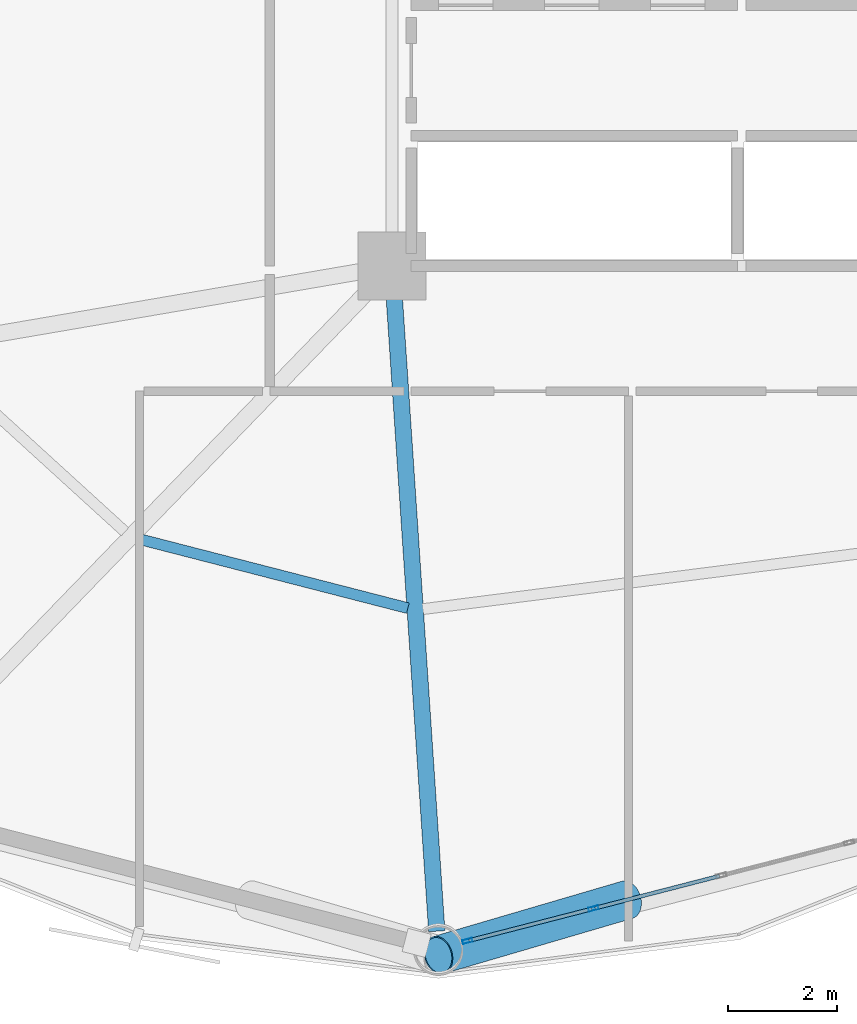
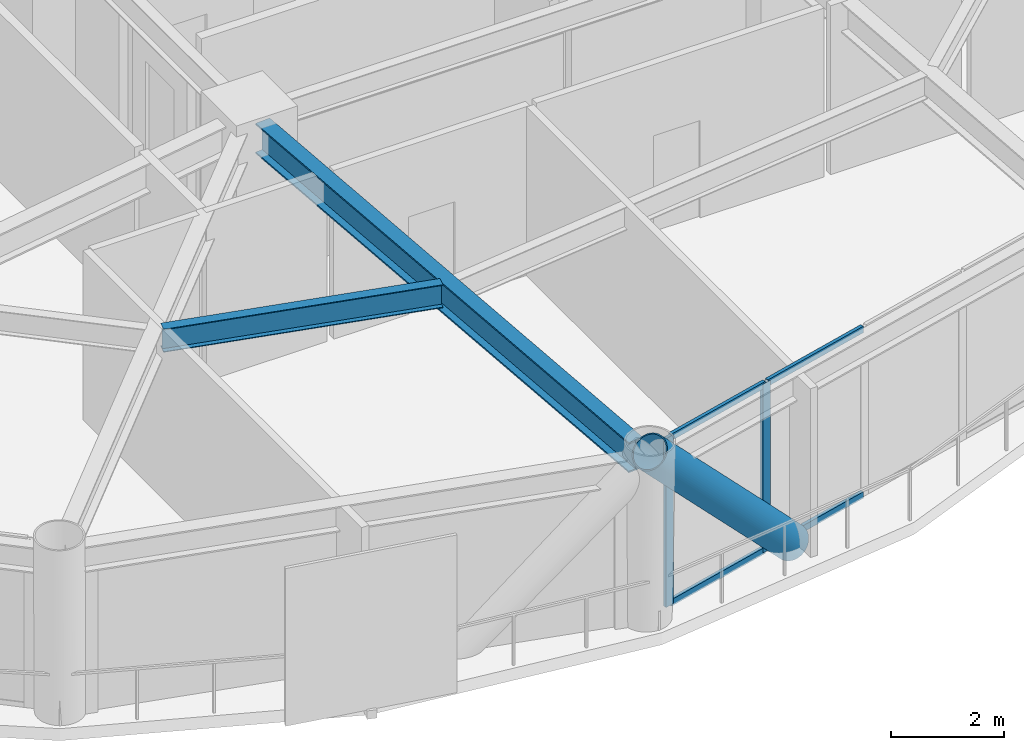
# One storey, part 7 of 26: 7 members, 2 beams, 1 element without a shape of its own.
"""IFC4 building model written with IfcOpenShell, lengths in metres."""

from ifc_helpers import new_model, si_unit, direction, frame, origin, origin_2d, place, context, subcontext, project, spatial, hollow_rectangle, hollow_circle, i_section, extrude, material, layer, layer_set, material_profile, profile_set, type_object, element, aggregate, save


model = new_model("IFC4")

# Units and contexts
model_context = context("Model", 3, precision=1e-05, world=origin(), true_north=direction((0.0, 1.0)))
body_context = subcontext(model_context, "Body", "Model", "MODEL_VIEW")
ifc_project = project(units=[si_unit("LENGTHUNIT", "METRE"), si_unit("AREAUNIT", "SQUARE_METRE"), si_unit("VOLUMEUNIT", "CUBIC_METRE"), si_unit("PLANEANGLEUNIT", "RADIAN"), si_unit("MASSUNIT", "GRAM", prefix="KILO")], contexts=[model_context])

# Site, building, storey
site_placement = place(None, origin())
site = spatial("IfcSite", under=ifc_project, at=site_placement, CompositionType="ELEMENT")
building_placement = place(site_placement, origin())
building = spatial("IfcBuilding", under=site, at=building_placement, Name="Varnakorn Sky Granary", CompositionType="ELEMENT")
storey_placement = place(building_placement, frame((0.0, 0.0, 47.10009765625)))
storey = spatial("IfcBuildingStorey", under=building, at=storey_placement, Name="L11", CompositionType="ELEMENT", Elevation=47.10009765625)

# Beams
ifc_material_1 = material(Name="Steel S355JR", Category="steel")
ifc_material_profile_1 = material_profile(ifc_material_1, i_section(OverallWidth=0.300048828125, OverallDepth=0.64990234375, WebThickness=0.01611328125, FlangeThickness=0.031005859375, at=origin_2d()), Name="HE 650 B")
ifc_profile_set_1 = profile_set([ifc_material_profile_1], Name="Steel S355JR")
beam_type_1 = type_object("IfcBeamType", Name="BM-RAD-Z1", PredefinedType="BEAM", material=ifc_profile_set_1)
beam_1_placement = place(storey_placement, frame((-2.322021484375, -7.01904296875, 3.31494140625), z_axis=(0.06693507015, -0.997757333415, 0.0), x_axis=(0.997757333415, 0.06693507015, 0.0)))
element("IfcBeam", 1, at=beam_1_placement, inside=storey, type_object=beam_type_1, Name="Radial Floor Girder RG10 L11", PredefinedType="BEAM", context=body_context, shape_type="SweptSolid", body=[
    extrude(i_section(OverallWidth=0.300048828125, OverallDepth=0.64990234375, WebThickness=0.01611328125, FlangeThickness=0.031005859375, at=origin_2d()), origin(), (0.0, 0.0, 1.0), 11.839599609375),
])
ifc_material_profile_2 = material_profile(ifc_material_1, i_section(OverallWidth=0.199951171875, OverallDepth=0.5, WebThickness=0.01025390625, FlangeThickness=0.01611328125, at=origin_2d()), Name="IPE 500")
ifc_profile_set_2 = profile_set([ifc_material_profile_2], Name="Steel S355JR")
beam_type_2 = type_object("IfcBeamType", Name="BM-SEC-Z1", PredefinedType="BEAM", material=ifc_profile_set_2)
beam_2_placement = place(storey_placement, frame((-7.02490234375, -11.614013671875, 3.389892578125), z_axis=(0.968481113771, -0.249086997389, 0.0), x_axis=(0.249086997389, 0.968481113771, 0.0)))
element("IfcBeam", 2, at=beam_2_placement, inside=storey, type_object=beam_type_2, Name="Secondary Floor Chord Beam MSB09 L11", PredefinedType="BEAM", context=body_context, shape_type="SweptSolid", body=[
    extrude(i_section(OverallWidth=0.199951171875, OverallDepth=0.5, WebThickness=0.01025390625, FlangeThickness=0.01611328125, at=origin_2d()), origin(), (0.0, 0.0, 1.0), 5.125244140625),
])

# Curtain wall, members
ifc_material_2 = material(Name="Anodised Bronze Aluminium Alloy 6063-T6", Category="aluminium")
ifc_layer = layer(ifc_material_2, 0.18994140625, Name="Anodised Bronze Aluminium Alloy 6063-T6")
ifc_layer_set = layer_set([ifc_layer], Name="Anodised Bronze Aluminium Alloy 6063-T6")
curtain_wall_type = type_object("IfcCurtainWallType", Name="CW-FRM-1", PredefinedType="USERDEFINED", material=ifc_layer_set)
curtain_wall_placement = place(storey_placement, origin())
curtain_wall = element("IfcCurtainWall", 3, at=curtain_wall_placement, inside=storey, type_object=curtain_wall_type, Name="Unitised Curtain Wall CW3 CW-L11-B10", ObjectType="CURTAIN WALL", PredefinedType="USERDEFINED")
ifc_material_profile_3 = material_profile(ifc_material_2, hollow_rectangle(XDim=0.070068359375, YDim=0.18505859375, WallThickness=0.00390625, at=origin_2d()), Name="ALU MULL 70x185")
ifc_profile_set_3 = profile_set([ifc_material_profile_3], Name="Anodised Bronze Aluminium Alloy 6063-T6")
member_type_1 = type_object("IfcMemberType", Name="CW-FRM-1-MULL", PredefinedType="MULLION", material=ifc_profile_set_3)
member_1_placement = place(storey_placement, frame((1.352294921875, -18.414794921875, 0.0), z_axis=(0.0, 0.0, 1.0), x_axis=(0.24959498948, -0.968350319475, 0.0)))
member_1 = element("IfcMember", 4, at=member_1_placement, type_object=member_type_1, Name="CW3 mullion 4", PredefinedType="MULLION", context=body_context, shape_type="SweptSolid", body=[
    extrude(hollow_rectangle(XDim=0.070068359375, YDim=0.18505859375, WallThickness=0.00390625, at=origin_2d()), origin(), (0.0, 0.0, 1.0), 3.639892578125),
])
member_2_placement = place(storey_placement, frame((-0.965576171875, -19.01220703125, 0.0), z_axis=(0.0, 0.0, 1.0), x_axis=(0.24959498948, -0.968350319475, 0.0)))
member_2 = element("IfcMember", 5, at=member_2_placement, type_object=member_type_1, Name="CW3 mullion 5", PredefinedType="MULLION", context=body_context, shape_type="SweptSolid", body=[
    extrude(hollow_rectangle(XDim=0.070068359375, YDim=0.18505859375, WallThickness=0.00390625, at=origin_2d()), origin(), (0.0, 0.0, 1.0), 3.639892578125),
])
ifc_material_profile_4 = material_profile(ifc_material_2, hollow_rectangle(XDim=0.070068359375, YDim=0.139892578125, WallThickness=0.00341796875, at=origin_2d()), Name="ALU TRAN 70x140")
ifc_profile_set_4 = profile_set([ifc_material_profile_4], Name="Anodised Bronze Aluminium Alloy 6063-T6")
member_type_2 = type_object("IfcMemberType", Name="CW-FRM-1-TRAN", PredefinedType="USERDEFINED", material=ifc_profile_set_4)
member_3_placement = place(storey_placement, frame((3.669921875, -17.8173828125, 0.034912109375), z_axis=(-0.968332236132, -0.24966513667, 0.0), x_axis=(0.24966513667, -0.968332236132, 0.0)))
member_3 = element("IfcMember", 6, at=member_3_placement, type_object=member_type_2, Name="CW3 transom 3.1", ObjectType="TRANSOM", PredefinedType="USERDEFINED", context=body_context, shape_type="SweptSolid", body=[
    extrude(hollow_rectangle(XDim=0.070068359375, YDim=0.139892578125, WallThickness=0.00341796875, at=origin_2d()), origin(), (0.0, 0.0, 1.0), 2.358642578125),
])
member_4_placement = place(storey_placement, frame((3.669921875, -17.8173828125, 3.60498046875), z_axis=(-0.968332236132, -0.24966513667, 0.0), x_axis=(0.24966513667, -0.968332236132, 0.0)))
member_4 = element("IfcMember", 7, at=member_4_placement, type_object=member_type_2, Name="CW3 transom 3.2", ObjectType="TRANSOM", PredefinedType="USERDEFINED", context=body_context, shape_type="SweptSolid", body=[
    extrude(hollow_rectangle(XDim=0.070068359375, YDim=0.139892578125, WallThickness=0.00341796875, at=origin_2d()), origin(), (0.0, 0.0, 1.0), 2.358642578125),
])
member_5_placement = place(storey_placement, frame((1.318359375, -18.423583984375, 0.034912109375), z_axis=(-0.968361737609, -0.249550686504, 0.0), x_axis=(0.249550686504, -0.968361737609, 0.0)))
member_5 = element("IfcMember", 8, at=member_5_placement, type_object=member_type_2, Name="CW3 transom 4.1", ObjectType="TRANSOM", PredefinedType="USERDEFINED", context=body_context, shape_type="SweptSolid", body=[
    extrude(hollow_rectangle(XDim=0.070068359375, YDim=0.139892578125, WallThickness=0.00341796875, at=origin_2d()), origin(), (0.0, 0.0, 1.0), 2.323486328125),
])
member_6_placement = place(storey_placement, frame((1.318359375, -18.423583984375, 3.60498046875), z_axis=(-0.968361737609, -0.249550686504, 0.0), x_axis=(0.249550686504, -0.968361737609, 0.0)))
member_6 = element("IfcMember", 9, at=member_6_placement, type_object=member_type_2, Name="CW3 transom 4.2", ObjectType="TRANSOM", PredefinedType="USERDEFINED", context=body_context, shape_type="SweptSolid", body=[
    extrude(hollow_rectangle(XDim=0.070068359375, YDim=0.139892578125, WallThickness=0.00341796875, at=origin_2d()), origin(), (0.0, 0.0, 1.0), 2.323486328125),
])
aggregate(curtain_wall, [member_1, member_2, member_3, member_4, member_5, member_6])

# Member
ifc_material_3 = material(Name="Steel S460M", Category="steel")
ifc_material_profile_5 = material_profile(ifc_material_3, hollow_circle(Radius=0.35546875, WallThickness=0.02490234375, at=origin_2d()), Name="CHS 711x25")
ifc_profile_set_5 = profile_set([ifc_material_profile_5], Name="Steel S460M")
member_type_3 = type_object("IfcMemberType", Name="MB-DIAG-T0", PredefinedType="BRACE", material=ifc_profile_set_5)
member_7_placement = place(storey_placement, frame((1.96923828125, -18.255859375, -0.130126953125), z_axis=(-0.664181856484, -0.194720732872, 0.721766096258), x_axis=(0.281332622765, -0.95961031433, 0.0)))
element("IfcMember", 10, at=member_7_placement, inside=storey, type_object=member_type_3, Name="Perimeter CHS Diagrid Brace DG10 L11", PredefinedType="BRACE", context=body_context, shape_type="SweptSolid", body=[
    extrude(hollow_circle(Radius=0.35546875, WallThickness=0.02490234375, at=origin_2d()), origin(), (0.0, 0.0, 1.0), 5.223388671875),
])

save(model, "model.ifc")
